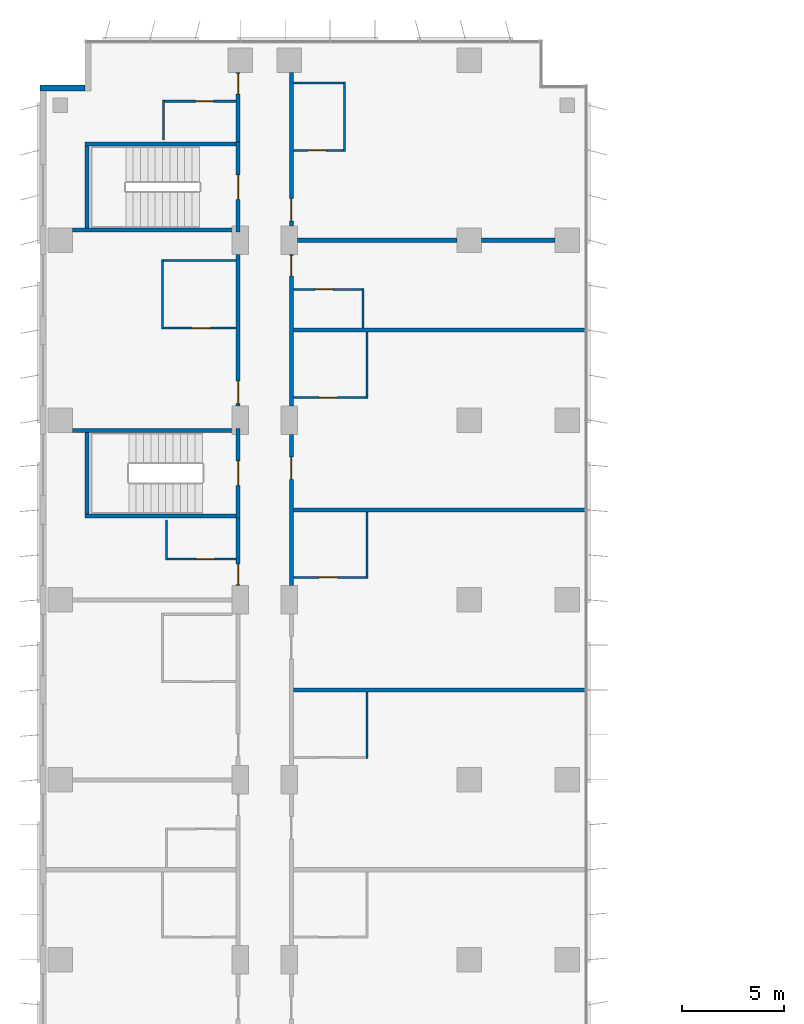
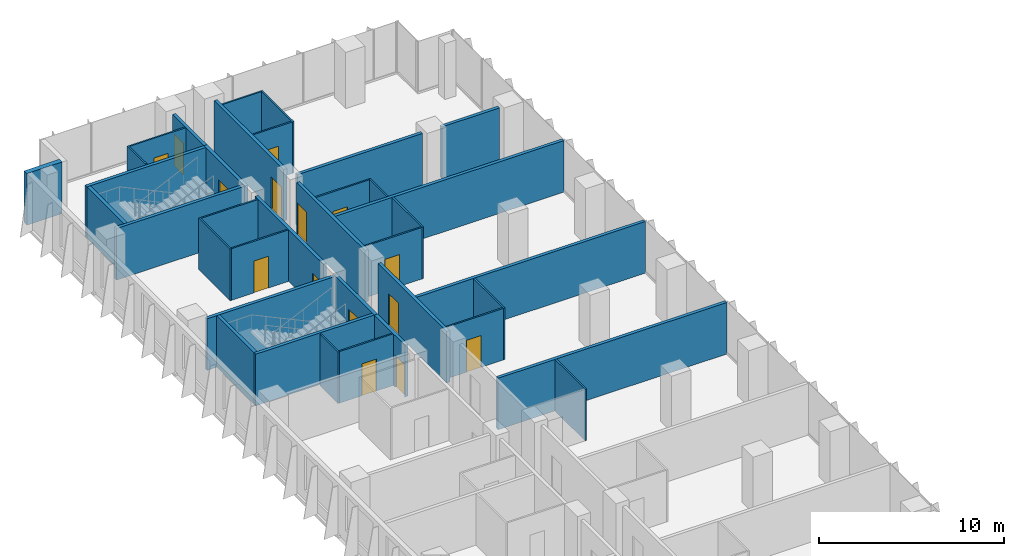
# One storey, part 17 of 22: 37 walls, 15 doors, 15 openings.
"""IFC4 building model written with IfcOpenShell, lengths in metres."""

from ifc_helpers import new_model, si_unit, direction, frame, frame_2d, origin, place, context, subcontext, project, spatial, rectangle, extrude, material, layer, layer_set, type_object, element, fill, save


model = new_model("IFC4")

# Units and contexts
model_context = context("Model", 3, precision=1e-05, world=origin(), true_north=direction((0.0, 1.0)))
body_context = subcontext(model_context, "Body", "Model", "MODEL_VIEW")
ifc_project = project(units=[si_unit("LENGTHUNIT", "METRE"), si_unit("AREAUNIT", "SQUARE_METRE"), si_unit("VOLUMEUNIT", "CUBIC_METRE"), si_unit("PLANEANGLEUNIT", "RADIAN"), si_unit("MASSUNIT", "GRAM", prefix="KILO")], contexts=[model_context])

# Site, building, storey
site_placement = place(None, origin())
site = spatial("IfcSite", under=ifc_project, at=site_placement, CompositionType="ELEMENT")
building_placement = place(site_placement, origin())
building = spatial("IfcBuilding", under=site, at=building_placement, Name="Kemantara Hotel Tower", CompositionType="ELEMENT")
storey_placement = place(building_placement, frame((0.0, 0.0, 87.10009765625)))
storey = spatial("IfcBuildingStorey", under=building, at=storey_placement, Name="L20", CompositionType="ELEMENT", Elevation=87.10009765625)

# Wall
ifc_material_1 = material(Name="Bronze anodised aluminium cladding on insulated steel stud wall", Category="steel")
ifc_layer_1 = layer(ifc_material_1, 0.300048828125)
ifc_layer_set_1 = layer_set([ifc_layer_1], Name="Bronze anodised aluminium cladding on insulated steel stud wall")
wall_type_1 = type_object("IfcWallType", Name="BRONZE METAL-CLAD EXTERNAL WALL 300", PredefinedType="STANDARD", material=ifc_layer_set_1)
wall_1_placement = place(storey_placement, frame((2.199951171875, 78.85009765625, 0.0), z_axis=(0.0, 0.0, 1.0), x_axis=(-1.0, 0.0, 0.0)))
element("IfcWall", 1, at=wall_1_placement, inside=storey, type_object=wall_type_1, Name="EXTERNAL WALL L20 T2-R03", PredefinedType="STANDARD", context=body_context, shape_type="SweptSolid", body=[
    extrude(rectangle(XDim=2.199951171875, YDim=0.300048828125, at=frame_2d((1.10009765625, 0.0))), origin(), (0.0, 0.0, 1.0), 3.39990234375),
])

# Wall, opening, door
ifc_material_2 = material(Name="Gypsum board partition, steel studs and mineral wool, 200 mm", Category="steel")
ifc_layer_2 = layer(ifc_material_2, 0.199951171875)
ifc_layer_set_2 = layer_set([ifc_layer_2], Name="Gypsum board partition, steel studs and mineral wool, 200 mm")
wall_type_2 = type_object("IfcWallType", Name="CORRIDOR WALL 200", PredefinedType="PARTITIONING", material=ifc_layer_set_2)
wall_2_placement = place(storey_placement, frame((9.699951171875, 54.5, 0.0), z_axis=(0.0, 0.0, 1.0), x_axis=(0.0, 1.0, 0.0)))
wall_2 = element("IfcWall", 2, at=wall_2_placement, inside=storey, type_object=wall_type_2, Name="CORRIDOR WALL 200 020", PredefinedType="PARTITIONING", context=body_context, shape_type="SweptSolid", body=[
    extrude(rectangle(XDim=3.300048828125, YDim=0.199951171875, at=frame_2d((1.64990234375, 0.0))), origin(), (0.0, 0.0, 1.0), 3.39990234375),
])
opening_1_placement = place(wall_2_placement, frame((0.0498046875, 0.0, 0.0)))
opening_1 = element("IfcOpeningElement", 3, at=opening_1_placement, cuts=wall_2, Name="Opening F07-027", PredefinedType="OPENING", context=body_context, shape_type="SweptSolid", body=[
    extrude(rectangle(XDim=1.0, YDim=2.10009765625, at=frame_2d((0.5, 1.050048828125))), frame((0.0, 0.10986328125, 0.0), z_axis=(0.0, -1.0, 0.0), x_axis=(1.0, 0.0, 0.0)), (0.0, 0.0, 1.0), 0.219970703125),
])
ifc_material_3 = material(Name="Hardwood veneer door leaf with steel frame", Category="steel")
door_type_1 = type_object("IfcDoorType", Name="GUEST ROOM DOOR 1000 X 2100 FD30S", OperationType="NOTDEFINED", PredefinedType="DOOR", material=ifc_material_3)
door_1_placement = place(opening_1_placement, origin())
door_1 = element("IfcDoor", 4, at=door_1_placement, inside=storey, type_object=door_type_1, Name="GUEST ROOM DOOR F07-027", OperationType="SINGLE_SWING_LEFT", OverallHeight=2.10009765625, OverallWidth=1.0, PredefinedType="DOOR", context=body_context, shape_type="SweptSolid", body=[
    extrude(rectangle(XDim=1.0, YDim=2.10009765625, at=frame_2d((0.5, 1.050048828125))), frame((0.0, 0.02490234375, 0.0), z_axis=(0.0, -1.0, 0.0), x_axis=(1.0, 0.0, 0.0)), (0.0, 0.0, 1.0), 0.050048828125),
])
fill(opening_1, door_1)

wall_3_placement = place(storey_placement, frame((9.699951171875, 63.300048828125, 0.0), z_axis=(0.0, 0.0, 1.0), x_axis=(0.0, 1.0, 0.0)))
wall_3 = element("IfcWall", 5, at=wall_3_placement, inside=storey, type_object=wall_type_2, Name="CORRIDOR WALL 200 021", PredefinedType="PARTITIONING", context=body_context, shape_type="SweptSolid", body=[
    extrude(rectangle(XDim=7.39990234375, YDim=0.199951171875, at=frame_2d((3.699951171875, 0.0))), origin(), (0.0, 0.0, 1.0), 3.39990234375),
])
opening_2_placement = place(wall_3_placement, frame((0.099853515625, 0.0, 0.0)))
opening_2 = element("IfcOpeningElement", 6, at=opening_2_placement, cuts=wall_3, Name="Opening F07-029", PredefinedType="OPENING", context=body_context, shape_type="SweptSolid", body=[
    extrude(rectangle(XDim=1.10009765625, YDim=2.10009765625, at=frame_2d((0.550048828125, 1.050048828125))), frame((0.0, 0.10986328125, 0.0), z_axis=(0.0, -1.0, 0.0), x_axis=(1.0, 0.0, 0.0)), (0.0, 0.0, 1.0), 0.219970703125),
])
door_type_2 = type_object("IfcDoorType", Name="SUITE ENTRANCE DOOR 1100 X 2100 FD30S", OperationType="NOTDEFINED", PredefinedType="DOOR", material=ifc_material_3)
door_2_placement = place(opening_2_placement, origin())
door_2 = element("IfcDoor", 7, at=door_2_placement, inside=storey, type_object=door_type_2, Name="SUITE ENTRANCE DOOR F07-029", OperationType="SINGLE_SWING_LEFT", OverallHeight=2.10009765625, OverallWidth=1.10009765625, PredefinedType="DOOR", context=body_context, shape_type="SweptSolid", body=[
    extrude(rectangle(XDim=1.10009765625, YDim=2.10009765625, at=frame_2d((0.550048828125, 1.050048828125))), frame((0.0, 0.02490234375, 0.0), z_axis=(0.0, -1.0, 0.0), x_axis=(1.0, 0.0, 0.0)), (0.0, 0.0, 1.0), 0.050048828125),
])
fill(opening_2, door_2)

wall_4_placement = place(storey_placement, frame((9.699951171875, 76.199951171875, 0.0), z_axis=(0.0, 0.0, 1.0), x_axis=(0.0, 1.0, 0.0)))
wall_4 = element("IfcWall", 8, at=wall_4_placement, inside=storey, type_object=wall_type_2, Name="CORRIDOR WALL 200 022", PredefinedType="PARTITIONING", context=body_context, shape_type="SweptSolid", body=[
    extrude(rectangle(XDim=3.39990234375, YDim=0.199951171875, at=frame_2d((1.699951171875, 0.0))), origin(), (0.0, 0.0, 1.0), 3.39990234375),
])
opening_3_placement = place(wall_4_placement, frame((2.35009765625, 0.0, 0.0)))
opening_3 = element("IfcOpeningElement", 9, at=opening_3_placement, cuts=wall_4, Name="Opening F07-031", PredefinedType="OPENING", context=body_context, shape_type="SweptSolid", body=[
    extrude(rectangle(XDim=1.0, YDim=2.10009765625, at=frame_2d((0.5, 1.050048828125))), frame((0.0, 0.10986328125, 0.0), z_axis=(0.0, -1.0, 0.0), x_axis=(1.0, 0.0, 0.0)), (0.0, 0.0, 1.0), 0.219970703125),
])
door_3_placement = place(opening_3_placement, origin())
door_3 = element("IfcDoor", 10, at=door_3_placement, inside=storey, type_object=door_type_1, Name="GUEST ROOM DOOR F07-031", OperationType="SINGLE_SWING_RIGHT", OverallHeight=2.10009765625, OverallWidth=1.0, PredefinedType="DOOR", context=body_context, shape_type="SweptSolid", body=[
    extrude(rectangle(XDim=1.0, YDim=2.10009765625, at=frame_2d((0.5, 1.050048828125))), frame((0.0, 0.02490234375, 0.0), z_axis=(0.0, -1.0, 0.0), x_axis=(1.0, 0.0, 0.0)), (0.0, 0.0, 1.0), 0.050048828125),
])
fill(opening_3, door_3)

wall_5_placement = place(storey_placement, frame((12.300048828125, 61.89990234375, 0.0), z_axis=(0.0, 0.0, 1.0), x_axis=(0.0, -1.0, 0.0)))
wall_5 = element("IfcWall", 11, at=wall_5_placement, inside=storey, type_object=wall_type_2, Name="CORRIDOR WALL 200 035", PredefinedType="PARTITIONING", context=body_context, shape_type="SweptSolid", body=[
    extrude(rectangle(XDim=7.39990234375, YDim=0.199951171875, at=frame_2d((3.699951171875, 0.0))), origin(), (0.0, 0.0, 1.0), 3.39990234375),
])
opening_4_placement = place(wall_5_placement, frame((1.099853515625, 0.0, 0.0)))
opening_4 = element("IfcOpeningElement", 12, at=opening_4_placement, cuts=wall_5, Name="Opening F07-041", PredefinedType="OPENING", context=body_context, shape_type="SweptSolid", body=[
    extrude(rectangle(XDim=1.10009765625, YDim=2.10009765625, at=frame_2d((0.550048828125, 1.050048828125))), frame((0.0, 0.10986328125, 0.0), z_axis=(0.0, -1.0, 0.0), x_axis=(1.0, 0.0, 0.0)), (0.0, 0.0, 1.0), 0.219970703125),
])
door_4_placement = place(opening_4_placement, origin())
door_4 = element("IfcDoor", 13, at=door_4_placement, inside=storey, type_object=door_type_2, Name="SUITE ENTRANCE DOOR F07-041", OperationType="SINGLE_SWING_RIGHT", OverallHeight=2.10009765625, OverallWidth=1.10009765625, PredefinedType="DOOR", context=body_context, shape_type="SweptSolid", body=[
    extrude(rectangle(XDim=1.10009765625, YDim=2.10009765625, at=frame_2d((0.550048828125, 1.050048828125))), frame((0.0, 0.02490234375, 0.0), z_axis=(0.0, -1.0, 0.0), x_axis=(1.0, 0.0, 0.0)), (0.0, 0.0, 1.0), 0.050048828125),
])
fill(opening_4, door_4)

wall_6_placement = place(storey_placement, frame((12.300048828125, 70.699951171875, 0.0), z_axis=(0.0, 0.0, 1.0), x_axis=(0.0, -1.0, 0.0)))
wall_6 = element("IfcWall", 14, at=wall_6_placement, inside=storey, type_object=wall_type_2, Name="CORRIDOR WALL 200 036", PredefinedType="PARTITIONING", context=body_context, shape_type="SweptSolid", body=[
    extrude(rectangle(XDim=7.39990234375, YDim=0.199951171875, at=frame_2d((3.699951171875, 0.0))), origin(), (0.0, 0.0, 1.0), 3.39990234375),
])
opening_5_placement = place(wall_6_placement, frame((0.0498046875, 0.0, 0.0)))
opening_5 = element("IfcOpeningElement", 15, at=opening_5_placement, cuts=wall_6, Name="Opening F07-043", PredefinedType="OPENING", context=body_context, shape_type="SweptSolid", body=[
    extrude(rectangle(XDim=1.0, YDim=2.10009765625, at=frame_2d((0.5, 1.050048828125))), frame((0.0, 0.10986328125, 0.0), z_axis=(0.0, -1.0, 0.0), x_axis=(1.0, 0.0, 0.0)), (0.0, 0.0, 1.0), 0.219970703125),
])
door_5_placement = place(opening_5_placement, origin())
door_5 = element("IfcDoor", 16, at=door_5_placement, inside=storey, type_object=door_type_1, Name="GUEST ROOM DOOR F07-043", OperationType="SINGLE_SWING_LEFT", OverallHeight=2.10009765625, OverallWidth=1.0, PredefinedType="DOOR", context=body_context, shape_type="SweptSolid", body=[
    extrude(rectangle(XDim=1.0, YDim=2.10009765625, at=frame_2d((0.5, 1.050048828125))), frame((0.0, 0.02490234375, 0.0), z_axis=(0.0, -1.0, 0.0), x_axis=(1.0, 0.0, 0.0)), (0.0, 0.0, 1.0), 0.050048828125),
])
fill(opening_5, door_5)

wall_7_placement = place(storey_placement, frame((12.300048828125, 79.599853515625, 0.0), z_axis=(0.0, 0.0, 1.0), x_axis=(0.0, -1.0, 0.0)))
wall_7 = element("IfcWall", 17, at=wall_7_placement, inside=storey, type_object=wall_type_2, Name="CORRIDOR WALL 200 037", PredefinedType="PARTITIONING", context=body_context, shape_type="SweptSolid", body=[
    extrude(rectangle(XDim=7.499755859375, YDim=0.199951171875, at=frame_2d((3.75, 0.0))), origin(), (0.0, 0.0, 1.0), 3.39990234375),
])
opening_6_placement = place(wall_7_placement, frame((6.14990234375, 0.0, 0.0)))
opening_6 = element("IfcOpeningElement", 18, at=opening_6_placement, cuts=wall_7, Name="Opening F07-045", PredefinedType="OPENING", context=body_context, shape_type="SweptSolid", body=[
    extrude(rectangle(XDim=1.10009765625, YDim=2.10009765625, at=frame_2d((0.550048828125, 1.050048828125))), frame((0.0, 0.10986328125, 0.0), z_axis=(0.0, -1.0, 0.0), x_axis=(1.0, 0.0, 0.0)), (0.0, 0.0, 1.0), 0.219970703125),
])
door_6_placement = place(opening_6_placement, origin())
door_6 = element("IfcDoor", 19, at=door_6_placement, inside=storey, type_object=door_type_2, Name="SUITE ENTRANCE DOOR F07-045", OperationType="SINGLE_SWING_RIGHT", OverallHeight=2.10009765625, OverallWidth=1.10009765625, PredefinedType="DOOR", context=body_context, shape_type="SweptSolid", body=[
    extrude(rectangle(XDim=1.10009765625, YDim=2.10009765625, at=frame_2d((0.550048828125, 1.050048828125))), frame((0.0, 0.02490234375, 0.0), z_axis=(0.0, -1.0, 0.0), x_axis=(1.0, 0.0, 0.0)), (0.0, 0.0, 1.0), 0.050048828125),
])
fill(opening_6, door_6)

ifc_material_4 = material(Name="Concrete fc 40 MPa", Category="concrete")
ifc_layer_3 = layer(ifc_material_4, 0.199951171875)
ifc_layer_set_3 = layer_set([ifc_layer_3], Name="Concrete fc 40 MPa")
wall_type_3 = type_object("IfcWallType", Name="Concrete stair wall 200 mm", PredefinedType="SHEAR", material=ifc_layer_set_3)
wall_8_placement = place(storey_placement, frame((9.699951171875, 57.800048828125, 0.0), z_axis=(0.0, 0.0, 1.0), x_axis=(0.0, 1.0, 0.0)))
wall_8 = element("IfcWall", 20, at=wall_8_placement, inside=storey, type_object=wall_type_3, Name="Stair ST4 enclosure wall with door", PredefinedType="SHEAR", context=body_context, shape_type="SweptSolid", body=[
    extrude(rectangle(XDim=4.39990234375, YDim=0.199951171875, at=frame_2d((2.199951171875, 0.0))), origin(), (0.0, 0.0, 1.0), 3.39990234375),
])
opening_7_placement = place(wall_8_placement, frame((1.60009765625, 0.0, 0.0)))
opening_7 = element("IfcOpeningElement", 21, at=opening_7_placement, cuts=wall_8, Name="Opening ST4-C", PredefinedType="OPENING", context=body_context, shape_type="SweptSolid", body=[
    extrude(rectangle(XDim=1.199951171875, YDim=2.10009765625, at=frame_2d((0.60009765625, 1.050048828125))), frame((0.0, 0.10986328125, 0.0), z_axis=(0.0, -1.0, 0.0), x_axis=(1.0, 0.0, 0.0)), (0.0, 0.0, 1.0), 0.219970703125),
])
ifc_material_5 = material(Name="Steel fire door", Category="steel")
door_type_3 = type_object("IfcDoorType", Name="Fire door FD90 1200 x 2100", OperationType="NOTDEFINED", PredefinedType="DOOR", material=ifc_material_5)
door_7_placement = place(opening_7_placement, origin())
door_7 = element("IfcDoor", 22, at=door_7_placement, inside=storey, type_object=door_type_3, Name="Stair ST4 door", OperationType="SINGLE_SWING_RIGHT", OverallHeight=2.10009765625, OverallWidth=1.199951171875, PredefinedType="DOOR", context=body_context, shape_type="SweptSolid", body=[
    extrude(rectangle(XDim=1.199951171875, YDim=2.10009765625, at=frame_2d((0.60009765625, 1.050048828125))), frame((0.0, 0.02490234375, 0.0), z_axis=(0.0, -1.0, 0.0), x_axis=(1.0, 0.0, 0.0)), (0.0, 0.0, 1.0), 0.050048828125),
])
fill(opening_7, door_7)

# Walls
wall_9_placement = place(storey_placement, frame((1.60009765625, 62.10009765625, 0.0), z_axis=(0.0, 0.0, 1.0), x_axis=(1.0, 0.0, 0.0)))
element("IfcWall", 23, at=wall_9_placement, inside=storey, type_object=wall_type_3, Name="Stair ST4 enclosure wall N", PredefinedType="SHEAR", context=body_context, shape_type="SweptSolid", body=[
    extrude(rectangle(XDim=8.0, YDim=0.199951171875, at=frame_2d((4.0, 0.0))), origin(), (0.0, 0.0, 1.0), 3.39990234375),
])
wall_10_placement = place(storey_placement, frame((2.199951171875, 57.89990234375, 0.0), z_axis=(0.0, 0.0, 1.0), x_axis=(1.0, 0.0, 0.0)))
element("IfcWall", 24, at=wall_10_placement, inside=storey, type_object=wall_type_3, Name="Stair ST4 enclosure wall S", PredefinedType="SHEAR", context=body_context, shape_type="SweptSolid", body=[
    extrude(rectangle(XDim=7.400146484375, YDim=0.199951171875, at=frame_2d((3.7001953125, 0.0))), origin(), (0.0, 0.0, 1.0), 3.39990234375),
])
wall_11_placement = place(storey_placement, frame((2.300048828125, 58.0, 0.0), z_axis=(0.0, 0.0, 1.0), x_axis=(0.0, 1.0, 0.0)))
element("IfcWall", 25, at=wall_11_placement, inside=storey, type_object=wall_type_3, Name="Stair ST4 enclosure wall W", PredefinedType="SHEAR", context=body_context, shape_type="SweptSolid", body=[
    extrude(rectangle(XDim=4.0, YDim=0.199951171875, at=frame_2d((2.0, 0.0))), origin(), (0.0, 0.0, 1.0), 3.39990234375),
])

# Wall, opening, door
wall_12_placement = place(storey_placement, frame((9.699951171875, 71.800048828125, 0.0), z_axis=(0.0, 0.0, 1.0), x_axis=(0.0, 1.0, 0.0)))
wall_12 = element("IfcWall", 26, at=wall_12_placement, inside=storey, type_object=wall_type_3, Name="Stair ST6 enclosure wall with door", PredefinedType="SHEAR", context=body_context, shape_type="SweptSolid", body=[
    extrude(rectangle(XDim=4.39990234375, YDim=0.199951171875, at=frame_2d((2.199951171875, 0.0))), origin(), (0.0, 0.0, 1.0), 3.39990234375),
])
opening_8_placement = place(wall_12_placement, frame((1.60009765625, 0.0, 0.0)))
opening_8 = element("IfcOpeningElement", 27, at=opening_8_placement, cuts=wall_12, Name="Opening ST6-C", PredefinedType="OPENING", context=body_context, shape_type="SweptSolid", body=[
    extrude(rectangle(XDim=1.199951171875, YDim=2.10009765625, at=frame_2d((0.60009765625, 1.050048828125))), frame((0.0, 0.10986328125, 0.0), z_axis=(0.0, -1.0, 0.0), x_axis=(1.0, 0.0, 0.0)), (0.0, 0.0, 1.0), 0.219970703125),
])
door_8_placement = place(opening_8_placement, origin())
door_8 = element("IfcDoor", 28, at=door_8_placement, inside=storey, type_object=door_type_3, Name="Stair ST6 door", OperationType="SINGLE_SWING_RIGHT", OverallHeight=2.10009765625, OverallWidth=1.199951171875, PredefinedType="DOOR", context=body_context, shape_type="SweptSolid", body=[
    extrude(rectangle(XDim=1.199951171875, YDim=2.10009765625, at=frame_2d((0.60009765625, 1.050048828125))), frame((0.0, 0.02490234375, 0.0), z_axis=(0.0, -1.0, 0.0), x_axis=(1.0, 0.0, 0.0)), (0.0, 0.0, 1.0), 0.050048828125),
])
fill(opening_8, door_8)

# Walls
wall_13_placement = place(storey_placement, frame((2.199951171875, 76.10009765625, 0.0), z_axis=(0.0, 0.0, 1.0), x_axis=(1.0, 0.0, 0.0)))
element("IfcWall", 29, at=wall_13_placement, inside=storey, type_object=wall_type_3, Name="Stair ST6 enclosure wall N", PredefinedType="SHEAR", context=body_context, shape_type="SweptSolid", body=[
    extrude(rectangle(XDim=7.400146484375, YDim=0.199951171875, at=frame_2d((3.7001953125, 0.0))), origin(), (0.0, 0.0, 1.0), 3.39990234375),
])
wall_14_placement = place(storey_placement, frame((1.60009765625, 71.89990234375, 0.0), z_axis=(0.0, 0.0, 1.0), x_axis=(1.0, 0.0, 0.0)))
element("IfcWall", 30, at=wall_14_placement, inside=storey, type_object=wall_type_3, Name="Stair ST6 enclosure wall S", PredefinedType="SHEAR", context=body_context, shape_type="SweptSolid", body=[
    extrude(rectangle(XDim=8.0, YDim=0.199951171875, at=frame_2d((4.0, 0.0))), origin(), (0.0, 0.0, 1.0), 3.39990234375),
])
wall_15_placement = place(storey_placement, frame((2.300048828125, 72.0, 0.0), z_axis=(0.0, 0.0, 1.0), x_axis=(0.0, 1.0, 0.0)))
element("IfcWall", 31, at=wall_15_placement, inside=storey, type_object=wall_type_3, Name="Stair ST6 enclosure wall W", PredefinedType="SHEAR", context=body_context, shape_type="SweptSolid", body=[
    extrude(rectangle(XDim=4.0, YDim=0.199951171875, at=frame_2d((2.0, 0.0))), origin(), (0.0, 0.0, 1.0), 3.39990234375),
])
ifc_layer_4 = layer(ifc_material_2, 0.199951171875)
ifc_layer_set_4 = layer_set([ifc_layer_4], Name="Gypsum board partition, steel studs and mineral wool, 200 mm")
wall_type_4 = type_object("IfcWallType", Name="GUEST ROOM PARTY WALL 200", PredefinedType="PARTITIONING", material=ifc_layer_set_4)
for number, where, z_axis, x_axis, name in (
    (32, (12.39990234375, 49.39990234375, 0.0), (0.0, 0.0, 1.0), (1.0, 0.0, 0.0), "GUEST ROOM PARTY WALL 200 040"),
    (33, (12.39990234375, 58.199951171875, 0.0), (0.0, 0.0, 1.0), (1.0, 0.0, 0.0), "GUEST ROOM PARTY WALL 200 041"),
    (34, (12.39990234375, 67.0, 0.0), (0.0, 0.0, 1.0), (1.0, 0.0, 0.0), "GUEST ROOM PARTY WALL 200 042"),
):
    element("IfcWall", number, at=place(storey_placement, frame(where, z_axis=z_axis, x_axis=x_axis)), inside=storey, type_object=wall_type_4, Name=name, PredefinedType="PARTITIONING", context=body_context, shape_type="SweptSolid", body=[
        extrude(rectangle(XDim=14.27001953125, YDim=0.199951171875, at=frame_2d((7.135009765625, 0.0))), origin(), (0.0, 0.0, 1.0), 3.39990234375),
    ])
wall_16_placement = place(storey_placement, frame((12.60009765625, 71.39990234375, 0.0), z_axis=(0.0, 0.0, 1.0), x_axis=(1.0, 0.0, 0.0)))
element("IfcWall", 35, at=wall_16_placement, inside=storey, type_object=wall_type_4, Name="GUEST ROOM PARTY WALL 200 043", PredefinedType="PARTITIONING", context=body_context, shape_type="SweptSolid", body=[
    extrude(rectangle(XDim=7.7998046875, YDim=0.199951171875, at=frame_2d((3.89990234375, 0.0))), origin(), (0.0, 0.0, 1.0), 3.39990234375),
])
wall_17_placement = place(storey_placement, frame((21.60009765625, 71.39990234375, 0.0), z_axis=(0.0, 0.0, 1.0), x_axis=(1.0, 0.0, 0.0)))
element("IfcWall", 36, at=wall_17_placement, inside=storey, type_object=wall_type_4, Name="GUEST ROOM PARTY WALL 200 044", PredefinedType="PARTITIONING", context=body_context, shape_type="SweptSolid", body=[
    extrude(rectangle(XDim=3.599853515625, YDim=0.199951171875, at=frame_2d((1.7998046875, 0.0))), origin(), (0.0, 0.0, 1.0), 3.39990234375),
])
ifc_material_6 = material(Name="Gypsum board partition on steel studs, 100 mm", Category="steel")
ifc_layer_5 = layer(ifc_material_6, 0.10009765625)
ifc_layer_set_5 = layer_set([ifc_layer_5], Name="Gypsum board partition on steel studs, 100 mm")
wall_type_5 = type_object("IfcWallType", Name="ROOM PARTITION 100", PredefinedType="PARTITIONING", material=ifc_layer_set_5)
for number, where, z_axis, x_axis, name in (
    (37, (6.050048828125, 76.300048828125, 0.0), (0.0, 0.0, 1.0), (0.0, 1.0, 0.0), "ROOM PARTITION 100 061"),
    (38, (6.199951171875, 55.75, 0.0), (0.0, 0.0, 1.0), (0.0, 1.0, 0.0), "ROOM PARTITION 100 067"),
):
    element("IfcWall", number, at=place(storey_placement, frame(where, z_axis=z_axis, x_axis=x_axis)), inside=storey, type_object=wall_type_5, Name=name, PredefinedType="PARTITIONING", context=body_context, shape_type="SweptSolid", body=[
        extrude(rectangle(XDim=1.949951171875, YDim=0.10009765625, at=frame_2d((0.97509765625, 0.0))), origin(), (0.0, 0.0, 1.0), 3.39990234375),
    ])
wall_18_placement = place(storey_placement, frame((6.0, 67.050048828125, 0.0), z_axis=(0.0, 0.0, 1.0), x_axis=(0.0, 1.0, 0.0)))
element("IfcWall", 39, at=wall_18_placement, inside=storey, type_object=wall_type_5, Name="ROOM PARTITION 100 071", PredefinedType="PARTITIONING", context=body_context, shape_type="SweptSolid", body=[
    extrude(rectangle(XDim=3.39990234375, YDim=0.10009765625, at=frame_2d((1.699951171875, 0.0))), origin(), (0.0, 0.0, 1.0), 3.39990234375),
])

# Wall, opening, door
wall_19_placement = place(storey_placement, frame((6.25, 55.800048828125, 0.0), z_axis=(0.0, 0.0, 1.0), x_axis=(1.0, 0.0, 0.0)))
wall_19 = element("IfcWall", 40, at=wall_19_placement, inside=storey, type_object=wall_type_5, Name="ROOM PARTITION 100 079", PredefinedType="PARTITIONING", context=body_context, shape_type="SweptSolid", body=[
    extrude(rectangle(XDim=3.35009765625, YDim=0.10009765625, at=frame_2d((1.675048828125, 0.0))), origin(), (0.0, 0.0, 1.0), 3.39990234375),
])
opening_9_placement = place(wall_19_placement, frame((1.39990234375, 0.0, 0.0)))
opening_9 = element("IfcOpeningElement", 41, at=opening_9_placement, cuts=wall_19, Name="Opening F07-028", PredefinedType="OPENING", context=body_context, shape_type="SweptSolid", body=[
    extrude(rectangle(XDim=0.89990234375, YDim=2.10009765625, at=frame_2d((0.449951171875, 1.050048828125))), frame((0.0, 0.06005859375, 0.0), z_axis=(0.0, -1.0, 0.0), x_axis=(1.0, 0.0, 0.0)), (0.0, 0.0, 1.0), 0.1201171875),
])
door_type_4 = type_object("IfcDoorType", Name="BATHROOM DOOR 900 X 2100", OperationType="NOTDEFINED", PredefinedType="DOOR", material=ifc_material_3)
door_9_placement = place(opening_9_placement, origin())
door_9 = element("IfcDoor", 42, at=door_9_placement, inside=storey, type_object=door_type_4, Name="BATHROOM DOOR F07-028", OperationType="SINGLE_SWING_RIGHT", OverallHeight=2.10009765625, OverallWidth=0.89990234375, PredefinedType="DOOR", context=body_context, shape_type="SweptSolid", body=[
    extrude(rectangle(XDim=0.89990234375, YDim=2.10009765625, at=frame_2d((0.449951171875, 1.050048828125))), frame((0.0, 0.02490234375, 0.0), z_axis=(0.0, -1.0, 0.0), x_axis=(1.0, 0.0, 0.0)), (0.0, 0.0, 1.0), 0.050048828125),
])
fill(opening_9, door_9)

wall_20_placement = place(storey_placement, frame((6.050048828125, 67.10009765625, 0.0), z_axis=(0.0, 0.0, 1.0), x_axis=(1.0, 0.0, 0.0)))
wall_20 = element("IfcWall", 43, at=wall_20_placement, inside=storey, type_object=wall_type_5, Name="ROOM PARTITION 100 080", PredefinedType="PARTITIONING", context=body_context, shape_type="SweptSolid", body=[
    extrude(rectangle(XDim=3.550048828125, YDim=0.10009765625, at=frame_2d((1.77490234375, 0.0))), origin(), (0.0, 0.0, 1.0), 3.39990234375),
])
opening_10_placement = place(wall_20_placement, frame((1.39990234375, 0.0, 0.0)))
opening_10 = element("IfcOpeningElement", 44, at=opening_10_placement, cuts=wall_20, Name="Opening F07-030", PredefinedType="OPENING", context=body_context, shape_type="SweptSolid", body=[
    extrude(rectangle(XDim=0.89990234375, YDim=2.10009765625, at=frame_2d((0.449951171875, 1.050048828125))), frame((0.0, 0.06005859375, 0.0), z_axis=(0.0, -1.0, 0.0), x_axis=(1.0, 0.0, 0.0)), (0.0, 0.0, 1.0), 0.1201171875),
])
door_10_placement = place(opening_10_placement, origin())
door_10 = element("IfcDoor", 45, at=door_10_placement, inside=storey, type_object=door_type_4, Name="BATHROOM DOOR F07-030", OperationType="SINGLE_SWING_RIGHT", OverallHeight=2.10009765625, OverallWidth=0.89990234375, PredefinedType="DOOR", context=body_context, shape_type="SweptSolid", body=[
    extrude(rectangle(XDim=0.89990234375, YDim=2.10009765625, at=frame_2d((0.449951171875, 1.050048828125))), frame((0.0, 0.02490234375, 0.0), z_axis=(0.0, -1.0, 0.0), x_axis=(1.0, 0.0, 0.0)), (0.0, 0.0, 1.0), 0.050048828125),
])
fill(opening_10, door_10)

# Wall
wall_21_placement = place(storey_placement, frame((6.050048828125, 70.39990234375, 0.0), z_axis=(0.0, 0.0, 1.0), x_axis=(1.0, 0.0, 0.0)))
element("IfcWall", 46, at=wall_21_placement, inside=storey, type_object=wall_type_5, Name="ROOM PARTITION 100 081", PredefinedType="PARTITIONING", context=body_context, shape_type="SweptSolid", body=[
    extrude(rectangle(XDim=3.550048828125, YDim=0.10009765625, at=frame_2d((1.77490234375, 0.0))), origin(), (0.0, 0.0, 1.0), 3.39990234375),
])

# Wall, opening, door
wall_22_placement = place(storey_placement, frame((9.60009765625, 78.199951171875, 0.0), z_axis=(0.0, 0.0, 1.0), x_axis=(-1.0, 0.0, 0.0)))
wall_22 = element("IfcWall", 47, at=wall_22_placement, inside=storey, type_object=wall_type_5, Name="ROOM PARTITION 100 082", PredefinedType="PARTITIONING", context=body_context, shape_type="SweptSolid", body=[
    extrude(rectangle(XDim=3.5, YDim=0.10009765625, at=frame_2d((1.75, 0.0))), origin(), (0.0, 0.0, 1.0), 3.39990234375),
])
opening_11_placement = place(wall_22_placement, frame((1.10009765625, 0.0, 0.0)))
opening_11 = element("IfcOpeningElement", 48, at=opening_11_placement, cuts=wall_22, Name="Opening F07-032", PredefinedType="OPENING", context=body_context, shape_type="SweptSolid", body=[
    extrude(rectangle(XDim=0.89990234375, YDim=2.10009765625, at=frame_2d((0.449951171875, 1.050048828125))), frame((0.0, 0.06005859375, 0.0), z_axis=(0.0, -1.0, 0.0), x_axis=(1.0, 0.0, 0.0)), (0.0, 0.0, 1.0), 0.1201171875),
])
door_11_placement = place(opening_11_placement, origin())
door_11 = element("IfcDoor", 49, at=door_11_placement, inside=storey, type_object=door_type_4, Name="BATHROOM DOOR F07-032", OperationType="SINGLE_SWING_LEFT", OverallHeight=2.10009765625, OverallWidth=0.89990234375, PredefinedType="DOOR", context=body_context, shape_type="SweptSolid", body=[
    extrude(rectangle(XDim=0.89990234375, YDim=2.10009765625, at=frame_2d((0.449951171875, 1.050048828125))), frame((0.0, 0.02490234375, 0.0), z_axis=(0.0, -1.0, 0.0), x_axis=(1.0, 0.0, 0.0)), (0.0, 0.0, 1.0), 0.050048828125),
])
fill(opening_11, door_11)

# Walls
for number, where, z_axis, x_axis, name in (
    (50, (16.0, 46.050048828125, 0.0), (0.0, 0.0, 1.0), (0.0, 1.0, 0.0), "ROOM PARTITION 100 085"),
    (51, (16.0, 54.85009765625, 0.0), (0.0, 0.0, 1.0), (0.0, 1.0, 0.0), "ROOM PARTITION 100 086"),
    (52, (16.0, 63.64990234375, 0.0), (0.0, 0.0, 1.0), (0.0, 1.0, 0.0), "ROOM PARTITION 100 087"),
):
    element("IfcWall", number, at=place(storey_placement, frame(where, z_axis=z_axis, x_axis=x_axis)), inside=storey, type_object=wall_type_5, Name=name, PredefinedType="PARTITIONING", context=body_context, shape_type="SweptSolid", body=[
        extrude(rectangle(XDim=3.25, YDim=0.10009765625, at=frame_2d((1.625, 0.0))), origin(), (0.0, 0.0, 1.0), 3.39990234375),
    ])

# Wall, opening, door
wall_23_placement = place(storey_placement, frame((12.39990234375, 54.89990234375, 0.0), z_axis=(0.0, 0.0, 1.0), x_axis=(1.0, 0.0, 0.0)))
wall_23 = element("IfcWall", 53, at=wall_23_placement, inside=storey, type_object=wall_type_5, Name="ROOM PARTITION 100 089", PredefinedType="PARTITIONING", context=body_context, shape_type="SweptSolid", body=[
    extrude(rectangle(XDim=3.550048828125, YDim=0.10009765625, at=frame_2d((1.77490234375, 0.0))), origin(), (0.0, 0.0, 1.0), 3.39990234375),
])
opening_12_placement = place(wall_23_placement, frame((1.25, 0.0, 0.0)))
opening_12 = element("IfcOpeningElement", 54, at=opening_12_placement, cuts=wall_23, Name="Opening F07-040", PredefinedType="OPENING", context=body_context, shape_type="SweptSolid", body=[
    extrude(rectangle(XDim=0.89990234375, YDim=2.10009765625, at=frame_2d((0.449951171875, 1.050048828125))), frame((0.0, 0.06005859375, 0.0), z_axis=(0.0, -1.0, 0.0), x_axis=(1.0, 0.0, 0.0)), (0.0, 0.0, 1.0), 0.1201171875),
])
door_12_placement = place(opening_12_placement, origin())
door_12 = element("IfcDoor", 55, at=door_12_placement, inside=storey, type_object=door_type_4, Name="BATHROOM DOOR F07-040", OperationType="SINGLE_SWING_LEFT", OverallHeight=2.10009765625, OverallWidth=0.89990234375, PredefinedType="DOOR", context=body_context, shape_type="SweptSolid", body=[
    extrude(rectangle(XDim=0.89990234375, YDim=2.10009765625, at=frame_2d((0.449951171875, 1.050048828125))), frame((0.0, 0.02490234375, 0.0), z_axis=(0.0, -1.0, 0.0), x_axis=(1.0, 0.0, 0.0)), (0.0, 0.0, 1.0), 0.050048828125),
])
fill(opening_12, door_12)

wall_24_placement = place(storey_placement, frame((12.39990234375, 63.699951171875, 0.0), z_axis=(0.0, 0.0, 1.0), x_axis=(1.0, 0.0, 0.0)))
wall_24 = element("IfcWall", 56, at=wall_24_placement, inside=storey, type_object=wall_type_5, Name="ROOM PARTITION 100 090", PredefinedType="PARTITIONING", context=body_context, shape_type="SweptSolid", body=[
    extrude(rectangle(XDim=3.550048828125, YDim=0.10009765625, at=frame_2d((1.77490234375, 0.0))), origin(), (0.0, 0.0, 1.0), 3.39990234375),
])
opening_13_placement = place(wall_24_placement, frame((1.25, 0.0, 0.0)))
opening_13 = element("IfcOpeningElement", 57, at=opening_13_placement, cuts=wall_24, Name="Opening F07-042", PredefinedType="OPENING", context=body_context, shape_type="SweptSolid", body=[
    extrude(rectangle(XDim=0.89990234375, YDim=2.10009765625, at=frame_2d((0.449951171875, 1.050048828125))), frame((0.0, 0.06005859375, 0.0), z_axis=(0.0, -1.0, 0.0), x_axis=(1.0, 0.0, 0.0)), (0.0, 0.0, 1.0), 0.1201171875),
])
door_13_placement = place(opening_13_placement, origin())
door_13 = element("IfcDoor", 58, at=door_13_placement, inside=storey, type_object=door_type_4, Name="BATHROOM DOOR F07-042", OperationType="SINGLE_SWING_LEFT", OverallHeight=2.10009765625, OverallWidth=0.89990234375, PredefinedType="DOOR", context=body_context, shape_type="SweptSolid", body=[
    extrude(rectangle(XDim=0.89990234375, YDim=2.10009765625, at=frame_2d((0.449951171875, 1.050048828125))), frame((0.0, 0.02490234375, 0.0), z_axis=(0.0, -1.0, 0.0), x_axis=(1.0, 0.0, 0.0)), (0.0, 0.0, 1.0), 0.050048828125),
])
fill(opening_13, door_13)

# Wall
wall_25_placement = place(storey_placement, frame((15.800048828125, 67.10009765625, 0.0), z_axis=(0.0, 0.0, 1.0), x_axis=(0.0, 1.0, 0.0)))
element("IfcWall", 59, at=wall_25_placement, inside=storey, type_object=wall_type_5, Name="ROOM PARTITION 100 091", PredefinedType="PARTITIONING", context=body_context, shape_type="SweptSolid", body=[
    extrude(rectangle(XDim=1.949951171875, YDim=0.10009765625, at=frame_2d((0.97509765625, 0.0))), origin(), (0.0, 0.0, 1.0), 3.39990234375),
])

# Wall, opening, door
wall_26_placement = place(storey_placement, frame((15.75, 69.0, 0.0), z_axis=(0.0, 0.0, 1.0), x_axis=(-1.0, 0.0, 0.0)))
wall_26 = element("IfcWall", 60, at=wall_26_placement, inside=storey, type_object=wall_type_5, Name="ROOM PARTITION 100 092", PredefinedType="PARTITIONING", context=body_context, shape_type="SweptSolid", body=[
    extrude(rectangle(XDim=3.35009765625, YDim=0.10009765625, at=frame_2d((1.675048828125, 0.0))), origin(), (0.0, 0.0, 1.0), 3.39990234375),
])
opening_14_placement = place(wall_26_placement, frame((1.39990234375, 0.0, 0.0)))
opening_14 = element("IfcOpeningElement", 61, at=opening_14_placement, cuts=wall_26, Name="Opening F07-044", PredefinedType="OPENING", context=body_context, shape_type="SweptSolid", body=[
    extrude(rectangle(XDim=0.89990234375, YDim=2.10009765625, at=frame_2d((0.449951171875, 1.050048828125))), frame((0.0, 0.06005859375, 0.0), z_axis=(0.0, -1.0, 0.0), x_axis=(1.0, 0.0, 0.0)), (0.0, 0.0, 1.0), 0.1201171875),
])
door_14_placement = place(opening_14_placement, origin())
door_14 = element("IfcDoor", 62, at=door_14_placement, inside=storey, type_object=door_type_4, Name="BATHROOM DOOR F07-044", OperationType="SINGLE_SWING_RIGHT", OverallHeight=2.10009765625, OverallWidth=0.89990234375, PredefinedType="DOOR", context=body_context, shape_type="SweptSolid", body=[
    extrude(rectangle(XDim=0.89990234375, YDim=2.10009765625, at=frame_2d((0.449951171875, 1.050048828125))), frame((0.0, 0.02490234375, 0.0), z_axis=(0.0, -1.0, 0.0), x_axis=(1.0, 0.0, 0.0)), (0.0, 0.0, 1.0), 0.050048828125),
])
fill(opening_14, door_14)

# Wall
wall_27_placement = place(storey_placement, frame((14.89990234375, 75.75, 0.0), z_axis=(0.0, 0.0, 1.0), x_axis=(0.0, 1.0, 0.0)))
element("IfcWall", 63, at=wall_27_placement, inside=storey, type_object=wall_type_5, Name="ROOM PARTITION 100 093", PredefinedType="PARTITIONING", context=body_context, shape_type="SweptSolid", body=[
    extrude(rectangle(XDim=3.39990234375, YDim=0.10009765625, at=frame_2d((1.699951171875, 0.0))), origin(), (0.0, 0.0, 1.0), 3.39990234375),
])

# Wall, opening, door
wall_28_placement = place(storey_placement, frame((12.39990234375, 75.800048828125, 0.0), z_axis=(0.0, 0.0, 1.0), x_axis=(1.0, 0.0, 0.0)))
wall_28 = element("IfcWall", 64, at=wall_28_placement, inside=storey, type_object=wall_type_5, Name="ROOM PARTITION 100 094", PredefinedType="PARTITIONING", context=body_context, shape_type="SweptSolid", body=[
    extrude(rectangle(XDim=2.4501953125, YDim=0.10009765625, at=frame_2d((1.22509765625, 0.0))), origin(), (0.0, 0.0, 1.0), 3.39990234375),
])
opening_15_placement = place(wall_28_placement, frame((0.699951171875, 0.0, 0.0)))
opening_15 = element("IfcOpeningElement", 65, at=opening_15_placement, cuts=wall_28, Name="Opening F07-046", PredefinedType="OPENING", context=body_context, shape_type="SweptSolid", body=[
    extrude(rectangle(XDim=0.89990234375, YDim=2.10009765625, at=frame_2d((0.449951171875, 1.050048828125))), frame((0.0, 0.06005859375, 0.0), z_axis=(0.0, -1.0, 0.0), x_axis=(1.0, 0.0, 0.0)), (0.0, 0.0, 1.0), 0.1201171875),
])
door_15_placement = place(opening_15_placement, origin())
door_15 = element("IfcDoor", 66, at=door_15_placement, inside=storey, type_object=door_type_4, Name="BATHROOM DOOR F07-046", OperationType="SINGLE_SWING_LEFT", OverallHeight=2.10009765625, OverallWidth=0.89990234375, PredefinedType="DOOR", context=body_context, shape_type="SweptSolid", body=[
    extrude(rectangle(XDim=0.89990234375, YDim=2.10009765625, at=frame_2d((0.449951171875, 1.050048828125))), frame((0.0, 0.02490234375, 0.0), z_axis=(0.0, -1.0, 0.0), x_axis=(1.0, 0.0, 0.0)), (0.0, 0.0, 1.0), 0.050048828125),
])
fill(opening_15, door_15)

# Wall
wall_29_placement = place(storey_placement, frame((12.39990234375, 79.10009765625, 0.0), z_axis=(0.0, 0.0, 1.0), x_axis=(1.0, 0.0, 0.0)))
element("IfcWall", 67, at=wall_29_placement, inside=storey, type_object=wall_type_5, Name="ROOM PARTITION 100 095", PredefinedType="PARTITIONING", context=body_context, shape_type="SweptSolid", body=[
    extrude(rectangle(XDim=2.4501953125, YDim=0.10009765625, at=frame_2d((1.22509765625, 0.0))), origin(), (0.0, 0.0, 1.0), 3.39990234375),
])

save(model, "model.ifc")
